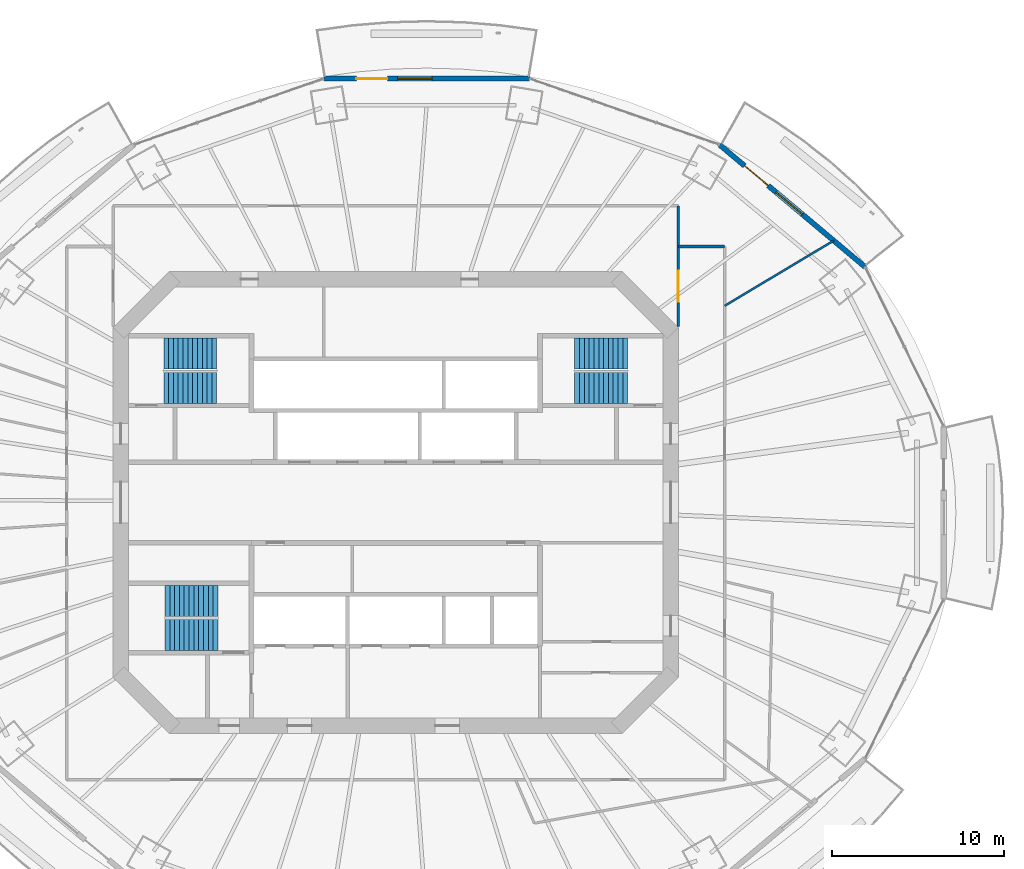
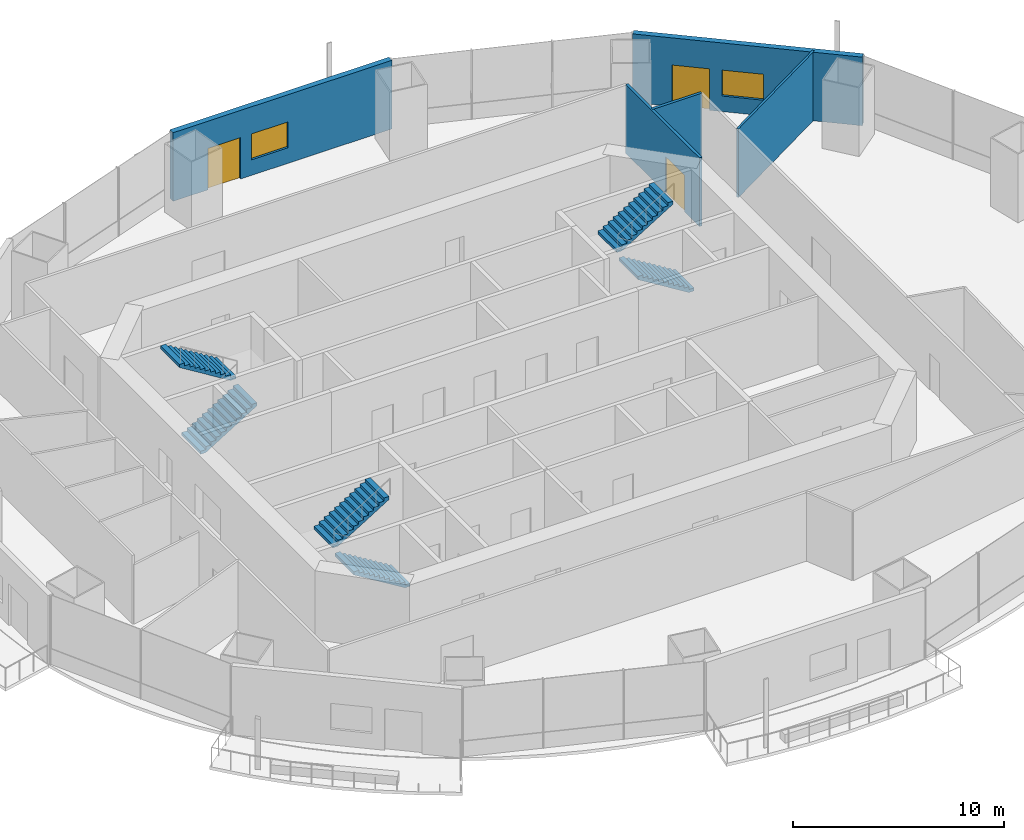
# One storey, part 13 of 19: 6 stair flights, 5 walls, 3 doors, 2 windows, 5 openings, 3 elements without a shape of their own.
"""IFC4 building model written with IfcOpenShell, lengths in metres."""

from ifc_helpers import new_model, si_unit, direction, frame, frame_2d, origin, place, context, subcontext, project, spatial, polyline, rectangle, outline, extrude, material, layer, layer_set, type_object, element, fill, aggregate, save


model = new_model("IFC4")

# Units and contexts
model_context = context("Model", 3, precision=1e-05, world=origin(), true_north=direction((0.0, 1.0)))
body_context = subcontext(model_context, "Body", "Model", "MODEL_VIEW")
ifc_project = project(units=[si_unit("LENGTHUNIT", "METRE"), si_unit("AREAUNIT", "SQUARE_METRE"), si_unit("VOLUMEUNIT", "CUBIC_METRE"), si_unit("PLANEANGLEUNIT", "RADIAN"), si_unit("MASSUNIT", "GRAM", prefix="KILO")], contexts=[model_context])

# Site, building, storey
site_placement = place(None, origin())
site = spatial("IfcSite", under=ifc_project, at=site_placement, CompositionType="ELEMENT")
building_placement = place(site_placement, origin())
building = spatial("IfcBuilding", under=site, at=building_placement, Name="Marenthal Gate Tower", CompositionType="ELEMENT")
storey_placement = place(building_placement, frame((0.0, 0.0, 231.60009765625)))
storey = spatial("IfcBuildingStorey", under=building, at=storey_placement, Name="L51", CompositionType="ELEMENT", Elevation=231.60009765625)

# Wall
ifc_material_1 = material(Name="Gypsum board on steel studs", Category="steel")
ifc_layer_1 = layer(ifc_material_1, 0.1201171875)
ifc_layer_set_1 = layer_set([ifc_layer_1], Name="Partition 120")
wall_type_1 = type_object("IfcWallType", Name="Partition 120", PredefinedType="PARTITIONING", material=ifc_layer_set_1)
wall_1_placement = place(storey_placement, frame((19.14990234375, 11.449462890625, 0.0), z_axis=(0.0, 0.0, 1.0), x_axis=(0.858293202809, 0.513159602864, 0.0)))
element("IfcWall", 1, at=wall_1_placement, inside=storey, type_object=wall_type_1, Name="Partition wall 66", PredefinedType="PARTITIONING", context=body_context, shape_type="SweptSolid", body=[
    extrude(rectangle(XDim=7.392822265625, YDim=0.1201171875, at=frame_2d((3.6962890625, 0.0))), origin(), (0.0, 0.0, 1.0), 3.969970703125),
])

# Wall, opening, door
ifc_material_2 = material(Name="Gypsum board on steel studs", Category="steel")
ifc_layer_2 = layer(ifc_material_2, 0.14990234375)
ifc_layer_set_2 = layer_set([ifc_layer_2], Name="Partition 150")
wall_type_2 = type_object("IfcWallType", Name="Partition 150", PredefinedType="PARTITIONING", material=ifc_layer_set_2)
wall_2_placement = place(storey_placement, frame((16.449951171875, 10.25, 0.0), z_axis=(0.0, 0.0, 1.0), x_axis=(0.0, 1.0, 0.0)))
wall_2 = element("IfcWall", 2, at=wall_2_placement, inside=storey, type_object=wall_type_2, Name="Partition wall 62", PredefinedType="PARTITIONING", context=body_context, shape_type="SweptSolid", body=[
    extrude(rectangle(XDim=7.010986328125, YDim=0.14990234375, at=frame_2d((3.50537109375, 0.0))), origin(), (0.0, 0.0, 1.0), 3.969970703125),
])
opening_1_placement = place(wall_2_placement, frame((1.425048828125, 0.0, 0.0)))
opening_1 = element("IfcOpeningElement", 3, at=opening_1_placement, cuts=wall_2, Name="Opening D014.05", PredefinedType="OPENING", context=body_context, shape_type="SweptSolid", body=[
    extrude(rectangle(XDim=1.800048828125, YDim=2.10009765625, at=frame_2d((0.89990234375, 1.050048828125))), frame((0.0, 0.0849609375, 0.0), z_axis=(0.0, -1.0, 0.0), x_axis=(1.0, 0.0, 0.0)), (0.0, 0.0, 1.0), 0.169921875),
])
ifc_material_3 = material(Name="Timber door", Category="wood")
door_type_1 = type_object("IfcDoorType", Name="Double door 1800 x 2100", OperationType="DOUBLE_DOOR_SINGLE_SWING", PredefinedType="DOOR", material=ifc_material_3)
door_1_placement = place(opening_1_placement, origin())
door_1 = element("IfcDoor", 4, at=door_1_placement, inside=storey, type_object=door_type_1, Name="Door D014.05", OperationType="DOUBLE_DOOR_SINGLE_SWING", OverallHeight=2.10009765625, OverallWidth=1.800048828125, PredefinedType="DOOR", context=body_context, shape_type="SweptSolid", body=[
    extrude(rectangle(XDim=1.800048828125, YDim=2.10009765625, at=frame_2d((0.89990234375, 1.050048828125))), frame((0.0, 0.02490234375, 0.0), z_axis=(0.0, -1.0, 0.0), x_axis=(1.0, 0.0, 0.0)), (0.0, 0.0, 1.0), 0.050048828125),
])
fill(opening_1, door_1)

# Wall
wall_3_placement = place(storey_placement, frame((16.449951171875, 14.89990234375, 0.0), z_axis=(0.0, 0.0, 1.0), x_axis=(1.0, 0.0, 0.0)))
element("IfcWall", 5, at=wall_3_placement, inside=storey, type_object=wall_type_2, Name="Partition wall 63", PredefinedType="PARTITIONING", context=body_context, shape_type="SweptSolid", body=[
    extrude(rectangle(XDim=2.699951171875, YDim=0.14990234375, at=frame_2d((1.35009765625, 0.0))), origin(), (0.0, 0.0, 1.0), 3.969970703125),
])

# Wall, openings, door, window
ifc_material_4 = material(Name="Terracotta cladding on insulated concrete-block backing", Category="masonry")
ifc_layer_3 = layer(ifc_material_4, 0.300048828125)
ifc_layer_set_3 = layer_set([ifc_layer_3], Name="Terracotta facade wall 300")
wall_type_3 = type_object("IfcWallType", Name="Terracotta facade wall 300", PredefinedType="SOLIDWALL", material=ifc_layer_set_3)
wall_4_placement = place(storey_placement, frame((27.316162109375, 13.71435546875, 0.0), z_axis=(0.0, 0.0, 1.0), x_axis=(-0.765870158107, 0.642995257308, 0.0)))
wall_4 = element("IfcWall", 6, at=wall_4_placement, inside=storey, type_object=wall_type_3, Name="Terracotta facade wall L51 bay 2", PredefinedType="SOLIDWALL", context=body_context, shape_type="SweptSolid", body=[
    extrude(rectangle(XDim=11.05517578125, YDim=0.300048828125, at=frame_2d((5.527587890625, 0.0))), origin(), (0.0, 0.0, 1.0), 3.969970703125),
])
opening_2_placement = place(wall_4_placement, frame((7.355224609375, 0.0, 0.0)))
opening_2 = element("IfcOpeningElement", 7, at=opening_2_placement, cuts=wall_4, Name="Opening BD-L51-02", PredefinedType="OPENING", context=body_context, shape_type="SweptSolid", body=[
    extrude(rectangle(XDim=1.800048828125, YDim=2.39990234375, at=frame_2d((0.89990234375, 1.199951171875))), frame((0.0, 0.16015625, 0.0), z_axis=(0.0, -1.0, 0.0), x_axis=(1.0, 0.0, 0.0)), (0.0, 0.0, 1.0), 0.320068359375),
])
opening_3_placement = place(wall_4_placement, frame((4.755126953125, 0.0, 0.89990234375)))
opening_3 = element("IfcOpeningElement", 8, at=opening_3_placement, cuts=wall_4, Name="Opening WN2-L51-02", PredefinedType="OPENING", context=body_context, shape_type="SweptSolid", body=[
    extrude(rectangle(XDim=2.0, YDim=1.5, at=frame_2d((1.0, 0.75))), frame((0.0, 0.16015625, 0.0), z_axis=(0.0, -1.0, 0.0), x_axis=(1.0, 0.0, 0.0)), (0.0, 0.0, 1.0), 0.320068359375),
])
ifc_material_5 = material(Name="Aluminium and glass", Category="aluminium")
door_type_2 = type_object("IfcDoorType", Name="Balcony door 1800x2400", OperationType="DOUBLE_DOOR_SINGLE_SWING", PredefinedType="DOOR", material=ifc_material_5)
door_2_placement = place(opening_2_placement, origin())
door_2 = element("IfcDoor", 9, at=door_2_placement, inside=storey, type_object=door_type_2, Name="Balcony door L51 bay 2", OperationType="SINGLE_SWING_LEFT", OverallHeight=2.39990234375, OverallWidth=1.800048828125, PredefinedType="DOOR", context=body_context, shape_type="SweptSolid", body=[
    extrude(rectangle(XDim=1.800048828125, YDim=2.39990234375, at=frame_2d((0.89990234375, 1.199951171875))), frame((0.0, 0.02490234375, 0.0), z_axis=(0.0, -1.0, 0.0), x_axis=(1.0, 0.0, 0.0)), (0.0, 0.0, 1.0), 0.050048828125),
])
fill(opening_2, door_2)
ifc_material_6 = material(Name="Aluminium and glass", Category="aluminium")
window_type = type_object("IfcWindowType", Name="Window 2000x1500", PartitioningType="DOUBLE_PANEL_VERTICAL", PredefinedType="WINDOW", material=ifc_material_6)
window_1_placement = place(opening_3_placement, origin())
window_1 = element("IfcWindow", 10, at=window_1_placement, inside=storey, type_object=window_type, Name="Window L51 bay 2", OverallHeight=1.5, OverallWidth=2.0, PartitioningType="SINGLE_PANEL", PredefinedType="WINDOW", context=body_context, shape_type="SweptSolid", body=[
    extrude(rectangle(XDim=2.0, YDim=1.5, at=frame_2d((1.0, 0.75))), frame((0.0, 0.030029296875, 0.0), z_axis=(0.0, -1.0, 0.0), x_axis=(1.0, 0.0, 0.0)), (0.0, 0.0, 1.0), 0.06005859375),
])
fill(opening_3, window_1)

wall_5_placement = place(storey_placement, frame((7.786865234375, 24.669921875, 0.0), z_axis=(0.0, 0.0, 1.0), x_axis=(-1.0, 0.0, 0.0)))
wall_5 = element("IfcWall", 11, at=wall_5_placement, inside=storey, type_object=wall_type_3, Name="Terracotta facade wall L51 bay 4", PredefinedType="SOLIDWALL", context=body_context, shape_type="SweptSolid", body=[
    extrude(rectangle(XDim=11.973876953125, YDim=0.300048828125, at=frame_2d((5.98681640625, 0.0))), origin(), (0.0, 0.0, 1.0), 3.969970703125),
])
opening_4_placement = place(wall_5_placement, frame((8.273681640625, 0.0, 0.0)))
opening_4 = element("IfcOpeningElement", 12, at=opening_4_placement, cuts=wall_5, Name="Opening BD-L51-04", PredefinedType="OPENING", context=body_context, shape_type="SweptSolid", body=[
    extrude(rectangle(XDim=1.800048828125, YDim=2.39990234375, at=frame_2d((0.89990234375, 1.199951171875))), frame((0.0, 0.16015625, 0.0), z_axis=(0.0, -1.0, 0.0), x_axis=(1.0, 0.0, 0.0)), (0.0, 0.0, 1.0), 0.320068359375),
])
opening_5_placement = place(wall_5_placement, frame((5.673828125, 0.0, 0.89990234375)))
opening_5 = element("IfcOpeningElement", 13, at=opening_5_placement, cuts=wall_5, Name="Opening WN2-L51-04", PredefinedType="OPENING", context=body_context, shape_type="SweptSolid", body=[
    extrude(rectangle(XDim=2.0, YDim=1.5, at=frame_2d((1.0, 0.75))), frame((0.0, 0.16015625, 0.0), z_axis=(0.0, -1.0, 0.0), x_axis=(1.0, 0.0, 0.0)), (0.0, 0.0, 1.0), 0.320068359375),
])
door_3_placement = place(opening_4_placement, origin())
door_3 = element("IfcDoor", 14, at=door_3_placement, inside=storey, type_object=door_type_2, Name="Balcony door L51 bay 4", OperationType="SINGLE_SWING_LEFT", OverallHeight=2.39990234375, OverallWidth=1.800048828125, PredefinedType="DOOR", context=body_context, shape_type="SweptSolid", body=[
    extrude(rectangle(XDim=1.800048828125, YDim=2.39990234375, at=frame_2d((0.89990234375, 1.199951171875))), frame((0.0, 0.02490234375, 0.0), z_axis=(0.0, -1.0, 0.0), x_axis=(1.0, 0.0, 0.0)), (0.0, 0.0, 1.0), 0.050048828125),
])
fill(opening_4, door_3)
window_2_placement = place(opening_5_placement, origin())
window_2 = element("IfcWindow", 15, at=window_2_placement, inside=storey, type_object=window_type, Name="Window L51 bay 4", OverallHeight=1.5, OverallWidth=2.0, PartitioningType="SINGLE_PANEL", PredefinedType="WINDOW", context=body_context, shape_type="SweptSolid", body=[
    extrude(rectangle(XDim=2.0, YDim=1.5, at=frame_2d((1.0, 0.75))), frame((0.0, 0.030029296875, 0.0), z_axis=(0.0, -1.0, 0.0), x_axis=(1.0, 0.0, 0.0)), (0.0, 0.0, 1.0), 0.06005859375),
])
fill(opening_5, window_2)

# Stair, stair flights
ifc_material_7 = material(Name="Concrete 40 MPa", Category="concrete")
stair_type = type_object("IfcStairType", Name="Exit stair 1800", PredefinedType="HALF_TURN_STAIR", material=ifc_material_7)
stair_1_placement = place(storey_placement, origin())
stair_1 = element("IfcStair", 16, at=stair_1_placement, inside=storey, type_object=stair_type, Name="Stair ST1", PredefinedType="HALF_TURN_STAIR")
ifc_material_8 = material(Name="Concrete 40 MPa", Category="concrete")
stair_flight_type = type_object("IfcStairFlightType", Name="Stair flight 1800", PredefinedType="STRAIGHT", material=ifc_material_8)
stair_flight_1_placement = place(storey_placement, frame((-13.5, 6.675048828125, 0.0), z_axis=(0.0, 0.0, 1.0), x_axis=(1.0, 0.0, 0.0)))
stair_flight_1 = element("IfcStairFlight", 17, at=stair_flight_1_placement, type_object=stair_flight_type, Name="ST1 flight 1", NumberOfRisers=12, NumberOfTreads=11, PredefinedType="STRAIGHT", RiserHeight=0.172916667, TreadLength=0.28, context=body_context, shape_type="SweptSolid", body=[
    extrude(outline(polyline([(0.0, 0.0), (0.0, 0.1728515625), (0.280029296875, 0.1728515625), (0.280029296875, 0.345947265625), (0.56005859375, 0.345947265625), (0.56005859375, 0.518798828125), (0.840087890625, 0.518798828125), (0.840087890625, 0.691650390625), (1.1201171875, 0.691650390625), (1.1201171875, 0.864501953125), (1.39990234375, 0.864501953125), (1.39990234375, 1.03759765625), (1.679931640625, 1.03759765625), (1.679931640625, 1.21044921875), (1.9599609375, 1.21044921875), (1.9599609375, 1.38330078125), (2.239990234375, 1.38330078125), (2.239990234375, 1.55615234375), (2.52001953125, 1.55615234375), (2.52001953125, 1.729248046875), (2.800048828125, 1.729248046875), (2.800048828125, 1.902099609375), (3.080078125, 1.902099609375), (3.080078125, 2.074951171875), (3.080078125, 1.725830078125), (0.285400390625, 0.0), (0.0, 0.0)])), frame((0.0, 0.89990234375, 0.0), z_axis=(0.0, -1.0, 0.0), x_axis=(1.0, 0.0, 0.0)), (0.0, 0.0, 1.0), 1.800048828125),
])
stair_flight_2_placement = place(storey_placement, frame((-10.419921875, 8.675048828125, 2.074951171875), z_axis=(0.0, 0.0, 1.0), x_axis=(-1.0, 0.0, 0.0)))
stair_flight_2 = element("IfcStairFlight", 18, at=stair_flight_2_placement, type_object=stair_flight_type, Name="ST1 flight 2", NumberOfRisers=12, NumberOfTreads=11, PredefinedType="STRAIGHT", RiserHeight=0.172916667, TreadLength=0.28, context=body_context, shape_type="SweptSolid", body=[
    extrude(outline(polyline([(0.0, 0.0), (0.0, 0.1728515625), (0.280029296875, 0.1728515625), (0.280029296875, 0.345947265625), (0.56005859375, 0.345947265625), (0.56005859375, 0.518798828125), (0.840087890625, 0.518798828125), (0.840087890625, 0.691650390625), (1.1201171875, 0.691650390625), (1.1201171875, 0.864501953125), (1.39990234375, 0.864501953125), (1.39990234375, 1.03759765625), (1.679931640625, 1.03759765625), (1.679931640625, 1.21044921875), (1.9599609375, 1.21044921875), (1.9599609375, 1.38330078125), (2.239990234375, 1.38330078125), (2.239990234375, 1.55615234375), (2.52001953125, 1.55615234375), (2.52001953125, 1.729248046875), (2.800048828125, 1.729248046875), (2.800048828125, 1.902099609375), (3.080078125, 1.902099609375), (3.080078125, 2.074951171875), (3.080078125, 1.725830078125), (0.285400390625, 0.0), (0.0, 0.0)])), frame((0.0, 0.89990234375, 0.0), z_axis=(0.0, -1.0, 0.0), x_axis=(1.0, 0.0, 0.0)), (0.0, 0.0, 1.0), 1.800048828125),
])
aggregate(stair_1, [stair_flight_1, stair_flight_2])

stair_2_placement = place(storey_placement, origin())
stair_2 = element("IfcStair", 19, at=stair_2_placement, inside=storey, type_object=stair_type, Name="Stair ST2", PredefinedType="HALF_TURN_STAIR")
stair_flight_3_placement = place(storey_placement, frame((-10.35009765625, -7.72509765625, 0.0), z_axis=(0.0, 0.0, 1.0), x_axis=(-1.0, 0.0, 0.0)))
stair_flight_3 = element("IfcStairFlight", 20, at=stair_flight_3_placement, type_object=stair_flight_type, Name="ST2 flight 1", NumberOfRisers=12, NumberOfTreads=11, PredefinedType="STRAIGHT", RiserHeight=0.172916667, TreadLength=0.28, context=body_context, shape_type="SweptSolid", body=[
    extrude(outline(polyline([(0.0, 0.0), (0.0, 0.1728515625), (0.280029296875, 0.1728515625), (0.280029296875, 0.345947265625), (0.56005859375, 0.345947265625), (0.56005859375, 0.518798828125), (0.840087890625, 0.518798828125), (0.840087890625, 0.691650390625), (1.1201171875, 0.691650390625), (1.1201171875, 0.864501953125), (1.39990234375, 0.864501953125), (1.39990234375, 1.03759765625), (1.679931640625, 1.03759765625), (1.679931640625, 1.21044921875), (1.9599609375, 1.21044921875), (1.9599609375, 1.38330078125), (2.239990234375, 1.38330078125), (2.239990234375, 1.55615234375), (2.52001953125, 1.55615234375), (2.52001953125, 1.729248046875), (2.800048828125, 1.729248046875), (2.800048828125, 1.902099609375), (3.080078125, 1.902099609375), (3.080078125, 2.074951171875), (3.080078125, 1.725830078125), (0.285400390625, 0.0), (0.0, 0.0)])), frame((0.0, 0.89990234375, 0.0), z_axis=(0.0, -1.0, 0.0), x_axis=(1.0, 0.0, 0.0)), (0.0, 0.0, 1.0), 1.800048828125),
])
stair_flight_4_placement = place(storey_placement, frame((-13.429931640625, -5.72509765625, 2.074951171875), z_axis=(0.0, 0.0, 1.0), x_axis=(1.0, 0.0, 0.0)))
stair_flight_4 = element("IfcStairFlight", 21, at=stair_flight_4_placement, type_object=stair_flight_type, Name="ST2 flight 2", NumberOfRisers=12, NumberOfTreads=11, PredefinedType="STRAIGHT", RiserHeight=0.172916667, TreadLength=0.28, context=body_context, shape_type="SweptSolid", body=[
    extrude(outline(polyline([(0.0, 0.0), (0.0, 0.1728515625), (0.280029296875, 0.1728515625), (0.280029296875, 0.345947265625), (0.56005859375, 0.345947265625), (0.56005859375, 0.518798828125), (0.840087890625, 0.518798828125), (0.840087890625, 0.691650390625), (1.1201171875, 0.691650390625), (1.1201171875, 0.864501953125), (1.39990234375, 0.864501953125), (1.39990234375, 1.03759765625), (1.679931640625, 1.03759765625), (1.679931640625, 1.21044921875), (1.9599609375, 1.21044921875), (1.9599609375, 1.38330078125), (2.239990234375, 1.38330078125), (2.239990234375, 1.55615234375), (2.52001953125, 1.55615234375), (2.52001953125, 1.729248046875), (2.800048828125, 1.729248046875), (2.800048828125, 1.902099609375), (3.080078125, 1.902099609375), (3.080078125, 2.074951171875), (3.080078125, 1.725830078125), (0.285400390625, 0.0), (0.0, 0.0)])), frame((0.0, 0.89990234375, 0.0), z_axis=(0.0, -1.0, 0.0), x_axis=(1.0, 0.0, 0.0)), (0.0, 0.0, 1.0), 1.800048828125),
])
aggregate(stair_2, [stair_flight_3, stair_flight_4])

stair_3_placement = place(storey_placement, origin())
stair_3 = element("IfcStair", 22, at=stair_3_placement, inside=storey, type_object=stair_type, Name="Stair ST3", PredefinedType="HALF_TURN_STAIR")
stair_flight_5_placement = place(storey_placement, frame((13.5, 6.675048828125, 0.0), z_axis=(0.0, 0.0, 1.0), x_axis=(-1.0, 0.0, 0.0)))
stair_flight_5 = element("IfcStairFlight", 23, at=stair_flight_5_placement, type_object=stair_flight_type, Name="ST3 flight 1", NumberOfRisers=12, NumberOfTreads=11, PredefinedType="STRAIGHT", RiserHeight=0.172916667, TreadLength=0.28, context=body_context, shape_type="SweptSolid", body=[
    extrude(outline(polyline([(0.0, 0.0), (0.0, 0.1728515625), (0.280029296875, 0.1728515625), (0.280029296875, 0.345947265625), (0.56005859375, 0.345947265625), (0.56005859375, 0.518798828125), (0.840087890625, 0.518798828125), (0.840087890625, 0.691650390625), (1.1201171875, 0.691650390625), (1.1201171875, 0.864501953125), (1.39990234375, 0.864501953125), (1.39990234375, 1.03759765625), (1.679931640625, 1.03759765625), (1.679931640625, 1.21044921875), (1.9599609375, 1.21044921875), (1.9599609375, 1.38330078125), (2.239990234375, 1.38330078125), (2.239990234375, 1.55615234375), (2.52001953125, 1.55615234375), (2.52001953125, 1.729248046875), (2.800048828125, 1.729248046875), (2.800048828125, 1.902099609375), (3.080078125, 1.902099609375), (3.080078125, 2.074951171875), (3.080078125, 1.725830078125), (0.285400390625, 0.0), (0.0, 0.0)])), frame((0.0, 0.89990234375, 0.0), z_axis=(0.0, -1.0, 0.0), x_axis=(1.0, 0.0, 0.0)), (0.0, 0.0, 1.0), 1.800048828125),
])
stair_flight_6_placement = place(storey_placement, frame((10.419921875, 8.675048828125, 2.074951171875), z_axis=(0.0, 0.0, 1.0), x_axis=(1.0, 0.0, 0.0)))
stair_flight_6 = element("IfcStairFlight", 24, at=stair_flight_6_placement, type_object=stair_flight_type, Name="ST3 flight 2", NumberOfRisers=12, NumberOfTreads=11, PredefinedType="STRAIGHT", RiserHeight=0.172916667, TreadLength=0.28, context=body_context, shape_type="SweptSolid", body=[
    extrude(outline(polyline([(0.0, 0.0), (0.0, 0.1728515625), (0.280029296875, 0.1728515625), (0.280029296875, 0.345947265625), (0.56005859375, 0.345947265625), (0.56005859375, 0.518798828125), (0.840087890625, 0.518798828125), (0.840087890625, 0.691650390625), (1.1201171875, 0.691650390625), (1.1201171875, 0.864501953125), (1.39990234375, 0.864501953125), (1.39990234375, 1.03759765625), (1.679931640625, 1.03759765625), (1.679931640625, 1.21044921875), (1.9599609375, 1.21044921875), (1.9599609375, 1.38330078125), (2.239990234375, 1.38330078125), (2.239990234375, 1.55615234375), (2.52001953125, 1.55615234375), (2.52001953125, 1.729248046875), (2.800048828125, 1.729248046875), (2.800048828125, 1.902099609375), (3.080078125, 1.902099609375), (3.080078125, 2.074951171875), (3.080078125, 1.725830078125), (0.285400390625, 0.0), (0.0, 0.0)])), frame((0.0, 0.89990234375, 0.0), z_axis=(0.0, -1.0, 0.0), x_axis=(1.0, 0.0, 0.0)), (0.0, 0.0, 1.0), 1.800048828125),
])
aggregate(stair_3, [stair_flight_5, stair_flight_6])

save(model, "model.ifc")
